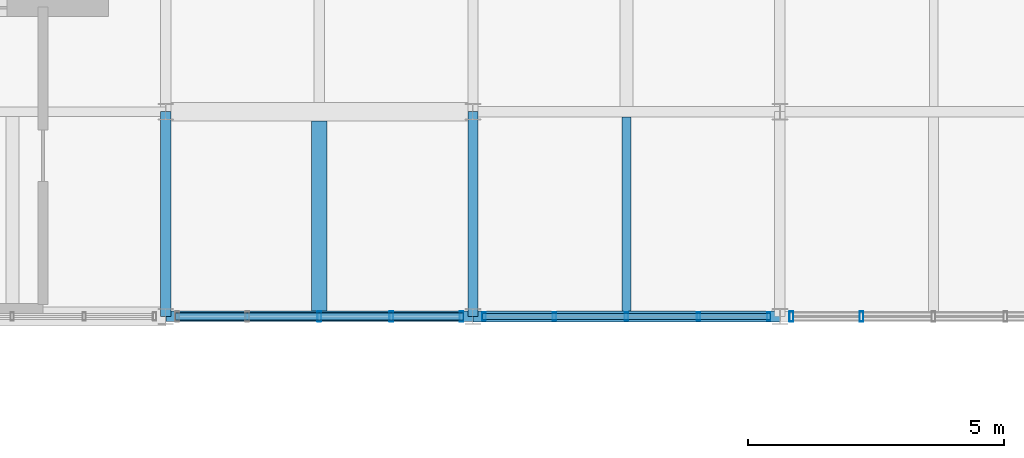
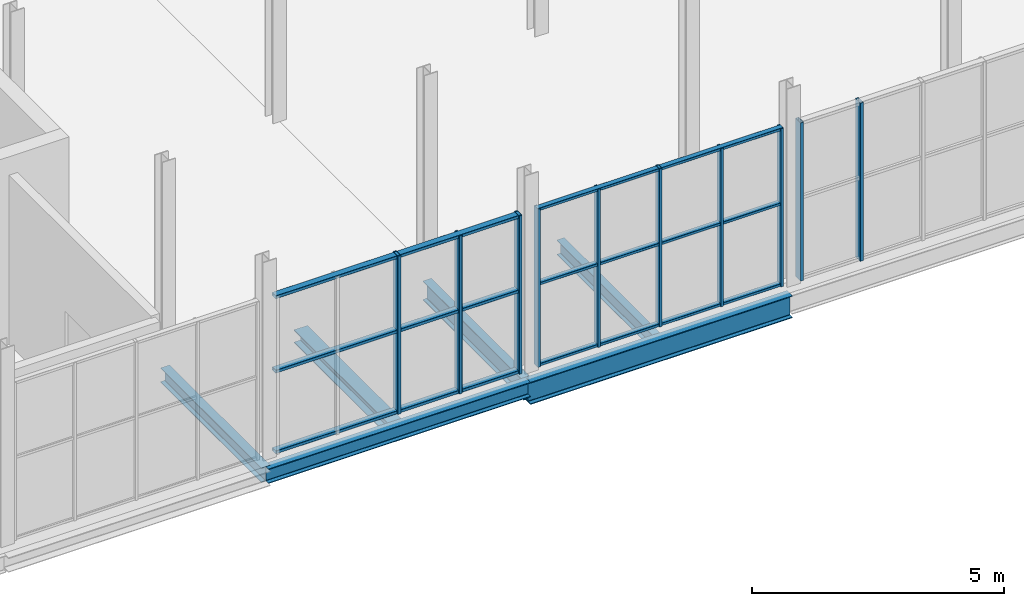
# One storey, part 65 of 114: 16 members, 6 beams, 3 elements without a shape of their own.
"""IFC4 building model written with IfcOpenShell, lengths in metres."""

from ifc_helpers import new_model, si_unit, direction, frame, origin, origin_2d, place, context, subcontext, project, spatial, hollow_rectangle, i_section, extrude, material, material_profile, profile_set, type_object, element, aggregate, save


model = new_model("IFC4")

# Units and contexts
model_context = context("Model", 3, precision=1e-05, world=origin(), true_north=direction((0.0, 1.0)))
body_context = subcontext(model_context, "Body", "Model", "MODEL_VIEW")
ifc_project = project(units=[si_unit("LENGTHUNIT", "METRE"), si_unit("AREAUNIT", "SQUARE_METRE"), si_unit("VOLUMEUNIT", "CUBIC_METRE"), si_unit("PLANEANGLEUNIT", "RADIAN"), si_unit("MASSUNIT", "GRAM", prefix="KILO")], contexts=[model_context])

# Site, building, storey
site_placement = place(None, origin())
site = spatial("IfcSite", under=ifc_project, at=site_placement, CompositionType="ELEMENT")
building_placement = place(site_placement, origin())
building = spatial("IfcBuilding", under=site, at=building_placement, Name="Verrall Gate Interchange", CompositionType="ELEMENT")
storey_placement = place(building_placement, frame((0.0, 0.0, 6.60009765625)))
storey = spatial("IfcBuildingStorey", under=building, at=storey_placement, Name="L02", CompositionType="ELEMENT", Elevation=6.60009765625)

# Beams
ifc_material_1 = material(Name="Structural Steel CSA G40.21 350W", Category="steel")
ifc_material_profile_1 = material_profile(ifc_material_1, i_section(OverallWidth=0.2109375, OverallDepth=0.5390625, WebThickness=0.01171875, FlangeThickness=0.018798828125, FilletRadius=0.013916015625, at=origin_2d()), Name="W530x109")
ifc_profile_set_1 = profile_set([ifc_material_profile_1], Name="Structural Steel CSA G40.21 350W")
beam_type_1 = type_object("IfcBeamType", Name="B-10 Structural Beam W530x109", PredefinedType="BEAM", material=ifc_profile_set_1)
beam_1_placement = place(storey_placement, frame((150.0, 12.0, -0.549560546875), z_axis=(1.0, 0.0, 0.0), x_axis=(0.0, 1.0, 0.0)))
element("IfcBeam", 1, at=beam_1_placement, inside=storey, type_object=beam_type_1, Name="L02 Girder BM-L02-1484 (B-10)", PredefinedType="BEAM", context=body_context, shape_type="SweptSolid", body=[
    extrude(i_section(OverallWidth=0.2109375, OverallDepth=0.5390625, WebThickness=0.01171875, FlangeThickness=0.018798828125, FilletRadius=0.013916015625, at=origin_2d()), origin(), (0.0, 0.0, 1.0), 6.0),
])
ifc_material_2 = material(Name="Structural Steel CSA G40.21 350W", Category="steel")
ifc_material_profile_2 = material_profile(ifc_material_2, i_section(OverallWidth=0.19189453125, OverallDepth=0.462890625, WebThickness=0.010498046875, FlangeThickness=0.017578125, FilletRadius=0.012939453125, at=origin_2d()), Name="W460x89")
ifc_profile_set_2 = profile_set([ifc_material_profile_2], Name="Structural Steel CSA G40.21 350W")
beam_type_2 = type_object("IfcBeamType", Name="B-11 Structural Beam W460x89", PredefinedType="BEAM", material=ifc_profile_set_2)
beam_2_placement = place(storey_placement, frame((150.0, 12.0, -0.51171875), z_axis=(0.0, 1.0, 0.0), x_axis=(-1.0, 0.0, 0.0)))
element("IfcBeam", 2, at=beam_2_placement, inside=storey, type_object=beam_type_2, Name="L02 Girder BM-L02-1807 (B-11)", PredefinedType="BEAM", context=body_context, shape_type="SweptSolid", body=[
    extrude(i_section(OverallWidth=0.19189453125, OverallDepth=0.462890625, WebThickness=0.010498046875, FlangeThickness=0.017578125, FilletRadius=0.012939453125, at=origin_2d()), origin(), (0.0, 0.0, 1.0), 4.0),
])
ifc_material_3 = material(Name="Structural Steel CSA G40.21 350W", Category="steel")
ifc_material_profile_3 = material_profile(ifc_material_3, i_section(OverallWidth=0.205078125, OverallDepth=0.35400390625, WebThickness=0.009521484375, FlangeThickness=0.016845703125, FilletRadius=0.012939453125, at=origin_2d()), Name="W360x79")
ifc_profile_set_3 = profile_set([ifc_material_profile_3], Name="Structural Steel CSA G40.21 350W")
beam_type_3 = type_object("IfcBeamType", Name="B-14 Structural Beam W360x79", PredefinedType="BEAM", material=ifc_profile_set_3)
beam_3_placement = place(storey_placement, frame((144.0, 12.0, -0.45703125), z_axis=(1.0, 0.0, 0.0), x_axis=(0.0, 1.0, 0.0)))
element("IfcBeam", 3, at=beam_3_placement, inside=storey, type_object=beam_type_3, Name="L02 Girder BM-L02-1483 (B-14)", PredefinedType="BEAM", context=body_context, shape_type="SweptSolid", body=[
    extrude(i_section(OverallWidth=0.205078125, OverallDepth=0.35400390625, WebThickness=0.009521484375, FlangeThickness=0.016845703125, FilletRadius=0.012939453125, at=origin_2d()), origin(), (0.0, 0.0, 1.0), 6.0),
])
beam_4_placement = place(storey_placement, frame((144.0, 12.0, -0.45703125), z_axis=(0.0, 1.0, 0.0), x_axis=(-1.0, 0.0, 0.0)))
element("IfcBeam", 4, at=beam_4_placement, inside=storey, type_object=beam_type_3, Name="L02 Girder BM-L02-1799 (B-14)", PredefinedType="BEAM", context=body_context, shape_type="SweptSolid", body=[
    extrude(i_section(OverallWidth=0.205078125, OverallDepth=0.35400390625, WebThickness=0.009521484375, FlangeThickness=0.016845703125, FilletRadius=0.012939453125, at=origin_2d()), origin(), (0.0, 0.0, 1.0), 4.0),
])

# Curtain wall, members
ifc_material_4 = material(Name="Thermally Broken Anodized Aluminium Curtain Wall Framing", Category="aluminium")
curtain_wall_type = type_object("IfcCurtainWallType", Name="CW-18 Unitized Curtain Wall 5631x3760", PredefinedType="NOTDEFINED", material=ifc_material_4)
curtain_wall_1_placement = place(storey_placement, origin())
curtain_wall_1 = element("IfcCurtainWall", 5, at=curtain_wall_1_placement, inside=storey, type_object=curtain_wall_type, Name="L02 Unitized Curtain Wall CW-L02-088", PredefinedType="NOTDEFINED")
ifc_material_5 = material(Name="Thermally Broken Anodized Aluminium Curtain Wall Framing", Category="aluminium")
ifc_material_profile_4 = material_profile(ifc_material_5, hollow_rectangle(XDim=0.06494140625, YDim=0.159912109375, WallThickness=0.00390625, InnerFilletRadius=0.00390625, OuterFilletRadius=0.008056640625, at=origin_2d()), Name="CWM160x65x4")
ifc_profile_set_4 = profile_set([ifc_material_profile_4], Name="Thermally Broken Anodized Aluminium Curtain Wall Framing")
member_type_1 = type_object("IfcMemberType", Name="CM-01 Curtain Mullion CWM160x65x4", PredefinedType="MULLION", material=ifc_profile_set_4)
member_1_placement = place(storey_placement, frame((150.218017578125, 12.0, 0.0), z_axis=(0.0, 0.0, 1.0), x_axis=(1.0, 0.0, 0.0)))
member_1 = element("IfcMember", 6, at=member_1_placement, type_object=member_type_1, Name="CW-L02-088 Mullion 1", PredefinedType="MULLION", context=body_context, shape_type="SweptSolid", body=[
    extrude(hollow_rectangle(XDim=0.06494140625, YDim=0.159912109375, WallThickness=0.00390625, InnerFilletRadius=0.00390625, OuterFilletRadius=0.008056640625, at=origin_2d()), origin(), (0.0, 0.0, 1.0), 3.829833984375),
])
member_2_placement = place(storey_placement, frame((151.5927734375, 12.0, 0.0), z_axis=(0.0, 0.0, 1.0), x_axis=(1.0, 0.0, 0.0)))
member_2 = element("IfcMember", 7, at=member_2_placement, type_object=member_type_1, Name="CW-L02-088 Mullion 2", PredefinedType="MULLION", context=body_context, shape_type="SweptSolid", body=[
    extrude(hollow_rectangle(XDim=0.06494140625, YDim=0.159912109375, WallThickness=0.00390625, InnerFilletRadius=0.00390625, OuterFilletRadius=0.008056640625, at=origin_2d()), origin(), (0.0, 0.0, 1.0), 3.829833984375),
])
member_3_placement = place(storey_placement, frame((153.0, 12.0, 0.0), z_axis=(0.0, 0.0, 1.0), x_axis=(1.0, 0.0, 0.0)))
member_3 = element("IfcMember", 8, at=member_3_placement, type_object=member_type_1, Name="CW-L02-088 Mullion 3", PredefinedType="MULLION", context=body_context, shape_type="SweptSolid", body=[
    extrude(hollow_rectangle(XDim=0.06494140625, YDim=0.159912109375, WallThickness=0.00390625, InnerFilletRadius=0.00390625, OuterFilletRadius=0.008056640625, at=origin_2d()), origin(), (0.0, 0.0, 1.0), 3.829833984375),
])
member_4_placement = place(storey_placement, frame((154.4072265625, 12.0, 0.0), z_axis=(0.0, 0.0, 1.0), x_axis=(1.0, 0.0, 0.0)))
member_4 = element("IfcMember", 9, at=member_4_placement, type_object=member_type_1, Name="CW-L02-088 Mullion 4", PredefinedType="MULLION", context=body_context, shape_type="SweptSolid", body=[
    extrude(hollow_rectangle(XDim=0.06494140625, YDim=0.159912109375, WallThickness=0.00390625, InnerFilletRadius=0.00390625, OuterFilletRadius=0.008056640625, at=origin_2d()), origin(), (0.0, 0.0, 1.0), 3.829833984375),
])
member_5_placement = place(storey_placement, frame((155.781982421875, 12.0, 0.0), z_axis=(0.0, 0.0, 1.0), x_axis=(1.0, 0.0, 0.0)))
member_5 = element("IfcMember", 10, at=member_5_placement, type_object=member_type_1, Name="CW-L02-088 Mullion 5", PredefinedType="MULLION", context=body_context, shape_type="SweptSolid", body=[
    extrude(hollow_rectangle(XDim=0.06494140625, YDim=0.159912109375, WallThickness=0.00390625, InnerFilletRadius=0.00390625, OuterFilletRadius=0.008056640625, at=origin_2d()), origin(), (0.0, 0.0, 1.0), 3.829833984375),
])

curtain_wall_2_placement = place(storey_placement, origin())
curtain_wall_2 = element("IfcCurtainWall", 11, at=curtain_wall_2_placement, inside=storey, type_object=curtain_wall_type, Name="L02 Unitized Curtain Wall CW-L02-087", PredefinedType="NOTDEFINED")
ifc_material_6 = material(Name="Thermally Broken Anodized Aluminium Curtain Wall Framing", Category="aluminium")
ifc_material_profile_5 = material_profile(ifc_material_6, hollow_rectangle(XDim=0.074951171875, YDim=0.199951171875, WallThickness=0.0048828125, InnerFilletRadius=0.0048828125, OuterFilletRadius=0.010009765625, at=origin_2d()), Name="CWM200x75x5")
ifc_profile_set_5 = profile_set([ifc_material_profile_5], Name="Thermally Broken Anodized Aluminium Curtain Wall Framing")
member_type_2 = type_object("IfcMemberType", Name="CM-02 Curtain Mullion CWM200x75x5", PredefinedType="MULLION", material=ifc_profile_set_5)
member_6_placement = place(storey_placement, frame((147.0, 12.0, 0.0), z_axis=(0.0, 0.0, 1.0), x_axis=(1.0, 0.0, 0.0)))
member_6 = element("IfcMember", 12, at=member_6_placement, type_object=member_type_2, Name="CW-L02-087 Mullion 3", PredefinedType="MULLION", context=body_context, shape_type="SweptSolid", body=[
    extrude(hollow_rectangle(XDim=0.074951171875, YDim=0.199951171875, WallThickness=0.0048828125, InnerFilletRadius=0.0048828125, OuterFilletRadius=0.010009765625, at=origin_2d()), origin(), (0.0, 0.0, 1.0), 3.829833984375),
])
member_7_placement = place(storey_placement, frame((148.4072265625, 12.0, 0.0), z_axis=(0.0, 0.0, 1.0), x_axis=(1.0, 0.0, 0.0)))
member_7 = element("IfcMember", 13, at=member_7_placement, type_object=member_type_2, Name="CW-L02-087 Mullion 4", PredefinedType="MULLION", context=body_context, shape_type="SweptSolid", body=[
    extrude(hollow_rectangle(XDim=0.074951171875, YDim=0.199951171875, WallThickness=0.0048828125, InnerFilletRadius=0.0048828125, OuterFilletRadius=0.010009765625, at=origin_2d()), origin(), (0.0, 0.0, 1.0), 3.829833984375),
])
member_8_placement = place(storey_placement, frame((149.777099609375, 12.0, 0.0), z_axis=(0.0, 0.0, 1.0), x_axis=(1.0, 0.0, 0.0)))
member_8 = element("IfcMember", 14, at=member_8_placement, type_object=member_type_2, Name="CW-L02-087 Mullion 5", PredefinedType="MULLION", context=body_context, shape_type="SweptSolid", body=[
    extrude(hollow_rectangle(XDim=0.074951171875, YDim=0.199951171875, WallThickness=0.0048828125, InnerFilletRadius=0.0048828125, OuterFilletRadius=0.010009765625, at=origin_2d()), origin(), (0.0, 0.0, 1.0), 3.829833984375),
])

curtain_wall_3_placement = place(storey_placement, origin())
curtain_wall_3 = element("IfcCurtainWall", 15, at=curtain_wall_3_placement, inside=storey, type_object=curtain_wall_type, Name="L02 Unitized Curtain Wall CW-L02-089", PredefinedType="NOTDEFINED")
member_9_placement = place(storey_placement, frame((156.222900390625, 12.0, 0.0), z_axis=(0.0, 0.0, 1.0), x_axis=(1.0, 0.0, 0.0)))
member_9 = element("IfcMember", 16, at=member_9_placement, type_object=member_type_2, Name="CW-L02-089 Mullion 1", PredefinedType="MULLION", context=body_context, shape_type="SweptSolid", body=[
    extrude(hollow_rectangle(XDim=0.074951171875, YDim=0.199951171875, WallThickness=0.0048828125, InnerFilletRadius=0.0048828125, OuterFilletRadius=0.010009765625, at=origin_2d()), origin(), (0.0, 0.0, 1.0), 3.829833984375),
])
member_10_placement = place(storey_placement, frame((157.5927734375, 12.0, 0.0), z_axis=(0.0, 0.0, 1.0), x_axis=(1.0, 0.0, 0.0)))
member_10 = element("IfcMember", 17, at=member_10_placement, type_object=member_type_2, Name="CW-L02-089 Mullion 2", PredefinedType="MULLION", context=body_context, shape_type="SweptSolid", body=[
    extrude(hollow_rectangle(XDim=0.074951171875, YDim=0.199951171875, WallThickness=0.0048828125, InnerFilletRadius=0.0048828125, OuterFilletRadius=0.010009765625, at=origin_2d()), origin(), (0.0, 0.0, 1.0), 3.829833984375),
])
aggregate(curtain_wall_3, [member_9, member_10])

# Member
ifc_material_7 = material(Name="Thermally Broken Anodized Aluminium Curtain Wall Framing", Category="aluminium")
ifc_material_profile_6 = material_profile(ifc_material_7, hollow_rectangle(XDim=0.1201171875, YDim=0.06494140625, WallThickness=0.00390625, InnerFilletRadius=0.00390625, OuterFilletRadius=0.008056640625, at=origin_2d()), Name="CWT120x65x4")
ifc_profile_set_6 = profile_set([ifc_material_profile_6], Name="Thermally Broken Anodized Aluminium Curtain Wall Framing")
member_type_3 = type_object("IfcMemberType", Name="CT-01 Curtain Transom CWT120x65x4", PredefinedType="USERDEFINED", material=ifc_profile_set_6)
member_11_placement = place(storey_placement, frame((150.185546875, 12.0, 0.032470703125), z_axis=(1.0, 0.0, 0.0), x_axis=(0.0, 1.0, 0.0)))
member_11 = element("IfcMember", 18, at=member_11_placement, type_object=member_type_3, Name="CW-L02-088 Transom 1", ObjectType="TRANSOM", PredefinedType="USERDEFINED", context=body_context, shape_type="SweptSolid", body=[
    extrude(hollow_rectangle(XDim=0.1201171875, YDim=0.06494140625, WallThickness=0.00390625, InnerFilletRadius=0.00390625, OuterFilletRadius=0.008056640625, at=origin_2d()), origin(), (0.0, 0.0, 1.0), 5.62890625),
])

member_12_placement = place(storey_placement, frame((150.185546875, 12.0, 1.991455078125), z_axis=(1.0, 0.0, 0.0), x_axis=(0.0, 1.0, 0.0)))
member_12 = element("IfcMember", 19, at=member_12_placement, type_object=member_type_3, Name="CW-L02-088 Transom 2", ObjectType="TRANSOM", PredefinedType="USERDEFINED", context=body_context, shape_type="SweptSolid", body=[
    extrude(hollow_rectangle(XDim=0.1201171875, YDim=0.06494140625, WallThickness=0.00390625, InnerFilletRadius=0.00390625, OuterFilletRadius=0.008056640625, at=origin_2d()), origin(), (0.0, 0.0, 1.0), 5.62890625),
])

member_13_placement = place(storey_placement, frame((150.185546875, 12.0, 3.79736328125), z_axis=(1.0, 0.0, 0.0), x_axis=(0.0, 1.0, 0.0)))
member_13 = element("IfcMember", 20, at=member_13_placement, type_object=member_type_3, Name="CW-L02-088 Transom 3", ObjectType="TRANSOM", PredefinedType="USERDEFINED", context=body_context, shape_type="SweptSolid", body=[
    extrude(hollow_rectangle(XDim=0.1201171875, YDim=0.06494140625, WallThickness=0.00390625, InnerFilletRadius=0.00390625, OuterFilletRadius=0.008056640625, at=origin_2d()), origin(), (0.0, 0.0, 1.0), 5.62890625),
])

aggregate(curtain_wall_1, [member_1, member_2, member_3, member_4, member_5, member_11, member_12, member_13])

ifc_material_8 = material(Name="Thermally Broken Anodized Aluminium Curtain Wall Framing", Category="aluminium")
ifc_material_profile_7 = material_profile(ifc_material_8, hollow_rectangle(XDim=0.14990234375, YDim=0.074951171875, WallThickness=0.00439453125, InnerFilletRadius=0.00439453125, OuterFilletRadius=0.009033203125, at=origin_2d()), Name="CWT150x75x4.5")
ifc_profile_set_7 = profile_set([ifc_material_profile_7], Name="Thermally Broken Anodized Aluminium Curtain Wall Framing")
member_type_4 = type_object("IfcMemberType", Name="CT-02 Curtain Transom CWT150x75x4.5", PredefinedType="USERDEFINED", material=ifc_profile_set_7)
member_14_placement = place(storey_placement, frame((144.185546875, 12.0, 0.037353515625), z_axis=(1.0, 0.0, 0.0), x_axis=(0.0, 1.0, 0.0)))
member_14 = element("IfcMember", 21, at=member_14_placement, type_object=member_type_4, Name="CW-L02-087 Transom 1", ObjectType="TRANSOM", PredefinedType="USERDEFINED", context=body_context, shape_type="SweptSolid", body=[
    extrude(hollow_rectangle(XDim=0.14990234375, YDim=0.074951171875, WallThickness=0.00439453125, InnerFilletRadius=0.00439453125, OuterFilletRadius=0.009033203125, at=origin_2d()), origin(), (0.0, 0.0, 1.0), 5.62890625),
])

member_15_placement = place(storey_placement, frame((144.185546875, 12.0, 1.991455078125), z_axis=(1.0, 0.0, 0.0), x_axis=(0.0, 1.0, 0.0)))
member_15 = element("IfcMember", 22, at=member_15_placement, type_object=member_type_4, Name="CW-L02-087 Transom 2", ObjectType="TRANSOM", PredefinedType="USERDEFINED", context=body_context, shape_type="SweptSolid", body=[
    extrude(hollow_rectangle(XDim=0.14990234375, YDim=0.074951171875, WallThickness=0.00439453125, InnerFilletRadius=0.00439453125, OuterFilletRadius=0.009033203125, at=origin_2d()), origin(), (0.0, 0.0, 1.0), 5.62890625),
])

member_16_placement = place(storey_placement, frame((144.185546875, 12.0, 3.79248046875), z_axis=(1.0, 0.0, 0.0), x_axis=(0.0, 1.0, 0.0)))
member_16 = element("IfcMember", 23, at=member_16_placement, type_object=member_type_4, Name="CW-L02-087 Transom 3", ObjectType="TRANSOM", PredefinedType="USERDEFINED", context=body_context, shape_type="SweptSolid", body=[
    extrude(hollow_rectangle(XDim=0.14990234375, YDim=0.074951171875, WallThickness=0.00439453125, InnerFilletRadius=0.00439453125, OuterFilletRadius=0.009033203125, at=origin_2d()), origin(), (0.0, 0.0, 1.0), 5.62890625),
])

aggregate(curtain_wall_2, [member_6, member_7, member_8, member_14, member_15, member_16])

# Beams
ifc_material_9 = material(Name="Structural Steel CSA G40.21 350W", Category="steel")
ifc_material_profile_8 = material_profile(ifc_material_9, i_section(OverallWidth=0.172119140625, OverallDepth=0.35791015625, WebThickness=0.0078125, FlangeThickness=0.01318359375, FilletRadius=0.010986328125, at=origin_2d()), Name="W360x57")
ifc_profile_set_8 = profile_set([ifc_material_profile_8], Name="Structural Steel CSA G40.21 350W")
beam_type_4 = type_object("IfcBeamType", Name="J-01 Floor Joist W360x57", PredefinedType="JOIST", material=ifc_profile_set_8)
beam_5_placement = place(storey_placement, frame((153.0, 12.10546875, -0.458984375), z_axis=(0.0, 1.0, 0.0), x_axis=(-1.0, 0.0, 0.0)))
element("IfcBeam", 24, at=beam_5_placement, inside=storey, type_object=beam_type_4, Name="L02 Secondary Floor Joist JST-L02-1881", PredefinedType="JOIST", context=body_context, shape_type="SweptSolid", body=[
    extrude(i_section(OverallWidth=0.172119140625, OverallDepth=0.35791015625, WebThickness=0.0078125, FlangeThickness=0.01318359375, FilletRadius=0.010986328125, at=origin_2d()), origin(), (0.0, 0.0, 1.0), 3.7919921875),
])
ifc_material_10 = material(Name="Structural Steel CSA G40.21 350W", Category="steel")
ifc_material_profile_9 = material_profile(ifc_material_10, i_section(OverallWidth=0.306884765625, OverallDepth=0.31396484375, WebThickness=0.011962890625, FlangeThickness=0.018798828125, FilletRadius=0.013916015625, at=origin_2d()), Name="W310x118")
ifc_profile_set_9 = profile_set([ifc_material_profile_9], Name="Structural Steel CSA G40.21 350W")
beam_type_5 = type_object("IfcBeamType", Name="J-02 Floor Joist W310x118", PredefinedType="JOIST", material=ifc_profile_set_9)
beam_6_placement = place(storey_placement, frame((147.0, 12.1025390625, -0.43701171875), z_axis=(0.0, 1.0, 0.0), x_axis=(-1.0, 0.0, 0.0)))
element("IfcBeam", 25, at=beam_6_placement, inside=storey, type_object=beam_type_5, Name="L02 Secondary Floor Joist JST-L02-1880", PredefinedType="JOIST", context=body_context, shape_type="SweptSolid", body=[
    extrude(i_section(OverallWidth=0.306884765625, OverallDepth=0.31396484375, WebThickness=0.011962890625, FlangeThickness=0.018798828125, FilletRadius=0.013916015625, at=origin_2d()), origin(), (0.0, 0.0, 1.0), 3.712890625),
])

save(model, "model.ifc")
